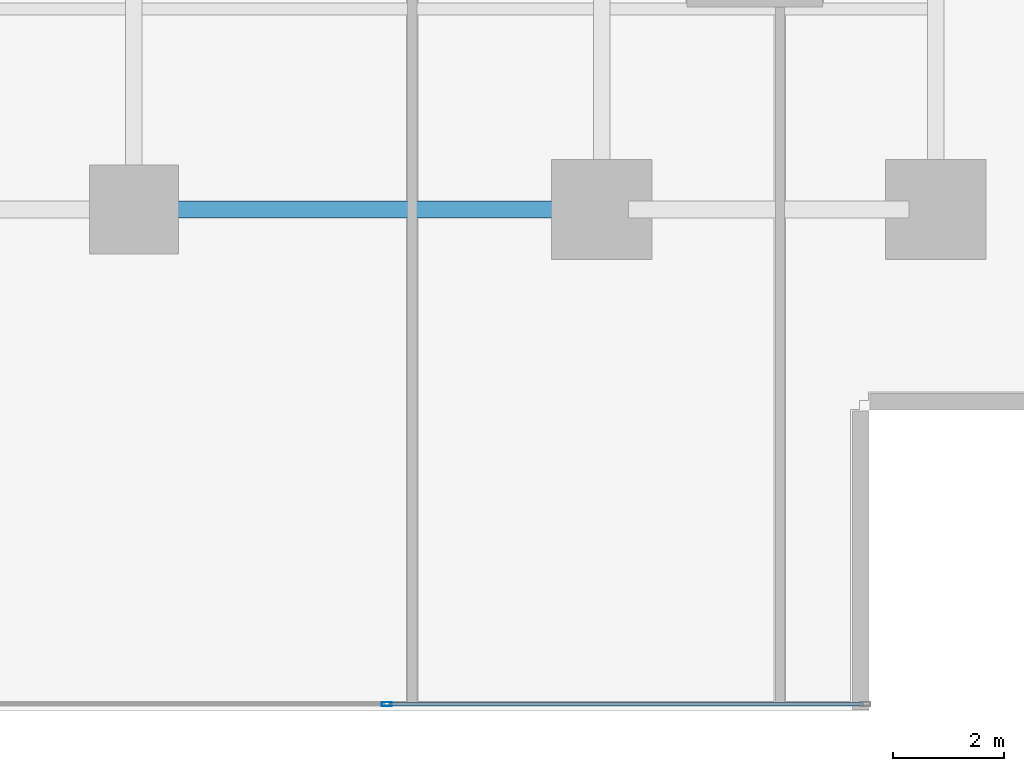
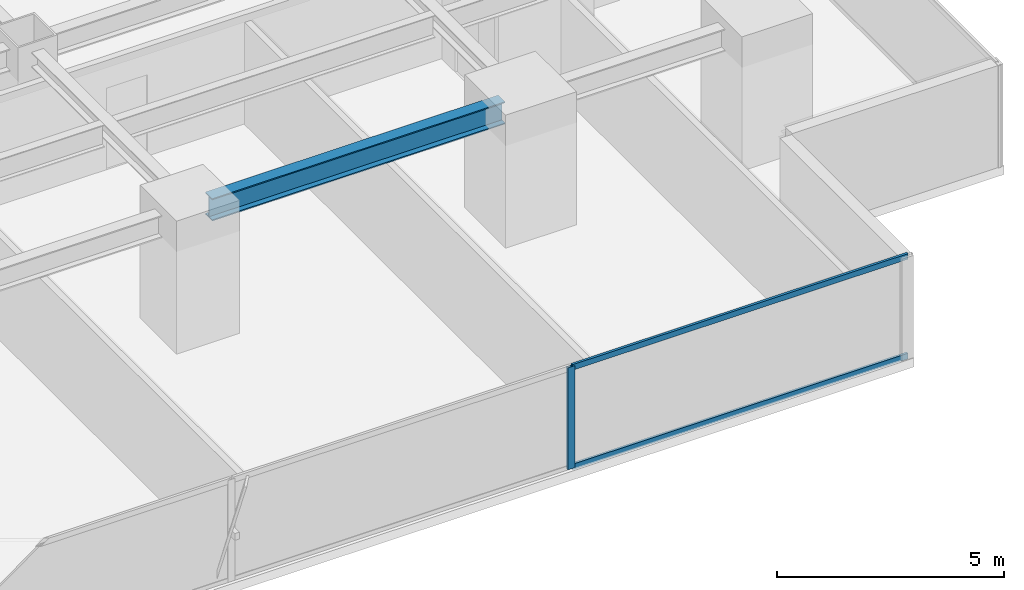
# One storey, part 11 of 33: 3 members, 1 beam, 1 element without a shape of its own.
"""IFC4 building model written with IfcOpenShell, lengths in metres."""

from ifc_helpers import new_model, si_unit, direction, frame, origin, origin_2d, place, context, subcontext, project, spatial, hollow_rectangle, i_section, extrude, source, transform, mapped, material, layer, layer_set, material_profile, profile_set, type_object, element, aggregate, save


model = new_model("IFC4")

# Units and contexts
model_context = context("Model", 3, precision=1e-05, world=origin(), true_north=direction((0.0, 1.0)))
body_context = subcontext(model_context, "Body", "Model", "MODEL_VIEW")
ifc_project = project(units=[si_unit("LENGTHUNIT", "METRE"), si_unit("AREAUNIT", "SQUARE_METRE"), si_unit("VOLUMEUNIT", "CUBIC_METRE"), si_unit("PLANEANGLEUNIT", "RADIAN"), si_unit("MASSUNIT", "GRAM", prefix="KILO")], contexts=[model_context])

# Site, building, storey
site_placement = place(None, origin())
site = spatial("IfcSite", under=ifc_project, at=site_placement, CompositionType="ELEMENT")
building_placement = place(site_placement, origin())
building = spatial("IfcBuilding", under=site, at=building_placement, Name="Sumidabori Civic Tower", CompositionType="ELEMENT")
storey_placement = place(building_placement, frame((0.0, 0.0, 59.60009765625)))
storey = spatial("IfcBuildingStorey", under=building, at=storey_placement, Name="L15", CompositionType="ELEMENT", Elevation=59.60009765625)

# Beam
ifc_material_1 = material(Name="Steel SN490", Category="steel")
ifc_material_profile_1 = material_profile(ifc_material_1, i_section(OverallWidth=0.300048828125, OverallDepth=0.60009765625, WebThickness=0.015380859375, FlangeThickness=0.030029296875, at=origin_2d()), Name="HE 600 B")
ifc_profile_set_1 = profile_set([ifc_material_profile_1], Name="Steel SN490")
beam_type = type_object("IfcBeamType", Name="BM-GIRD-600", PredefinedType="BEAM", material=ifc_profile_set_1)
shared_shape_1 = source(origin(), body_context, "Body", "SweptSolid", [
    extrude(i_section(OverallWidth=0.300048828125, OverallDepth=0.60009765625, WebThickness=0.015380859375, FlangeThickness=0.030029296875, at=origin_2d()), origin(), (0.0, 0.0, 1.0), 7.440185546875),
])
beam_placement = place(storey_placement, frame((8.8798828125, -18.0, 3.059814453125), z_axis=(1.0, 0.0, 0.0), x_axis=(0.0, 1.0, 0.0)))
element("IfcBeam", 1, at=beam_placement, inside=storey, type_object=beam_type, Name="Primary Girder L15 GX-05", PredefinedType="BEAM", context=body_context, shape_type="MappedRepresentation", body=[
    mapped(shared_shape_1, transform((0.0, 0.0, 0.0), x_axis=(1.0, 0.0, 0.0), y_axis=(0.0, 1.0, 0.0), z_axis=(0.0, 0.0, 1.0), scale=1.0)),
])

# Curtain wall, members
ifc_material_2 = material(Name="Anodised Bronze Aluminium AW-6063-T6", Category="aluminium")
ifc_layer = layer(ifc_material_2, 0.179931640625, Name="Anodised Bronze Aluminium AW-6063-T6")
ifc_layer_set = layer_set([ifc_layer], Name="Anodised Bronze Aluminium AW-6063-T6")
curtain_wall_type = type_object("IfcCurtainWallType", Name="CW-SYS-2", PredefinedType="NOTDEFINED", material=ifc_layer_set)
curtain_wall_placement = place(storey_placement, origin())
curtain_wall = element("IfcCurtainWall", 2, at=curtain_wall_placement, inside=storey, type_object=curtain_wall_type, Name="Curtain Wall CW:L15:R01", PredefinedType="NOTDEFINED")
ifc_material_profile_2 = material_profile(ifc_material_2, hollow_rectangle(XDim=0.070068359375, YDim=0.179931640625, WallThickness=0.006103515625, at=origin_2d()), Name="ALU MULLION 180x70")
ifc_profile_set_2 = profile_set([ifc_material_profile_2], Name="Anodised Bronze Aluminium AW-6063-T6")
member_type_1 = type_object("IfcMemberType", Name="CW-MUL-180", PredefinedType="MULLION", material=ifc_profile_set_2)
shared_shape_2 = source(origin(), body_context, "Body", "SweptSolid", [
    extrude(hollow_rectangle(XDim=0.070068359375, YDim=0.179931640625, WallThickness=0.006103515625, at=origin_2d()), origin(), (0.0, 0.0, 1.0), 2.739990234375),
])
member_1_placement = place(storey_placement, frame((12.94189453125, -26.8798828125, 0.0), z_axis=(0.0, 0.0, 1.0), x_axis=(0.0, 1.0, 0.0)))
member_1 = element("IfcMember", 3, at=member_1_placement, type_object=member_type_1, Name="CW-2 mullion 5", PredefinedType="MULLION", context=body_context, shape_type="MappedRepresentation", body=[
    mapped(shared_shape_2, transform((0.0, 0.0, 0.0), x_axis=(1.0, 0.0, 0.0), y_axis=(0.0, 1.0, 0.0), z_axis=(0.0, 0.0, 1.0), scale=1.0)),
])
ifc_material_profile_3 = material_profile(ifc_material_2, hollow_rectangle(XDim=0.06494140625, YDim=0.14990234375, WallThickness=0.0048828125, at=origin_2d()), Name="ALU TRANSOM 150x65")
ifc_profile_set_3 = profile_set([ifc_material_profile_3], Name="Anodised Bronze Aluminium AW-6063-T6")
member_type_2 = type_object("IfcMemberType", Name="CW-TRN-150", PredefinedType="USERDEFINED", material=ifc_profile_set_3)
shared_shape_3 = source(origin(), body_context, "Body", "SweptSolid", [
    extrude(hollow_rectangle(XDim=0.06494140625, YDim=0.14990234375, WallThickness=0.0048828125, at=origin_2d()), origin(), (0.0, 0.0, 1.0), 8.52294921875),
])
member_2_placement = place(storey_placement, frame((12.97705078125, -26.8798828125, 0.032470703125), z_axis=(1.0, 0.0, 0.0), x_axis=(0.0, 1.0, 0.0)))
member_2 = element("IfcMember", 4, at=member_2_placement, type_object=member_type_2, Name="CW-2 transom 5.1", ObjectType="TRANSOM", PredefinedType="USERDEFINED", context=body_context, shape_type="MappedRepresentation", body=[
    mapped(shared_shape_3, transform((0.0, 0.0, 0.0), x_axis=(1.0, 0.0, 0.0), y_axis=(0.0, 1.0, 0.0), z_axis=(0.0, 0.0, 1.0), scale=1.0)),
])
member_3_placement = place(storey_placement, frame((12.97705078125, -26.8798828125, 2.70751953125), z_axis=(1.0, 0.0, 0.0), x_axis=(0.0, 1.0, 0.0)))
member_3 = element("IfcMember", 5, at=member_3_placement, type_object=member_type_2, Name="CW-2 transom 5.2", ObjectType="TRANSOM", PredefinedType="USERDEFINED", context=body_context, shape_type="MappedRepresentation", body=[
    mapped(shared_shape_3, transform((0.0, 0.0, 0.0), x_axis=(1.0, 0.0, 0.0), y_axis=(0.0, 1.0, 0.0), z_axis=(0.0, 0.0, 1.0), scale=1.0)),
])
aggregate(curtain_wall, [member_1, member_2, member_3])

save(model, "model.ifc")
